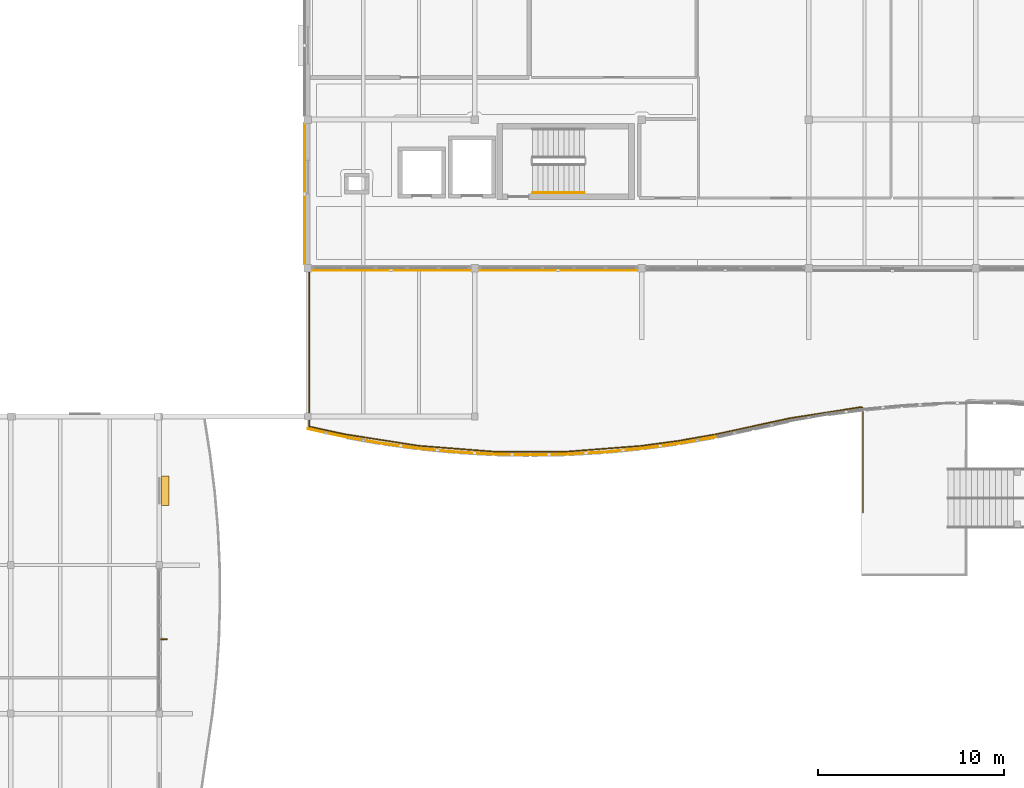
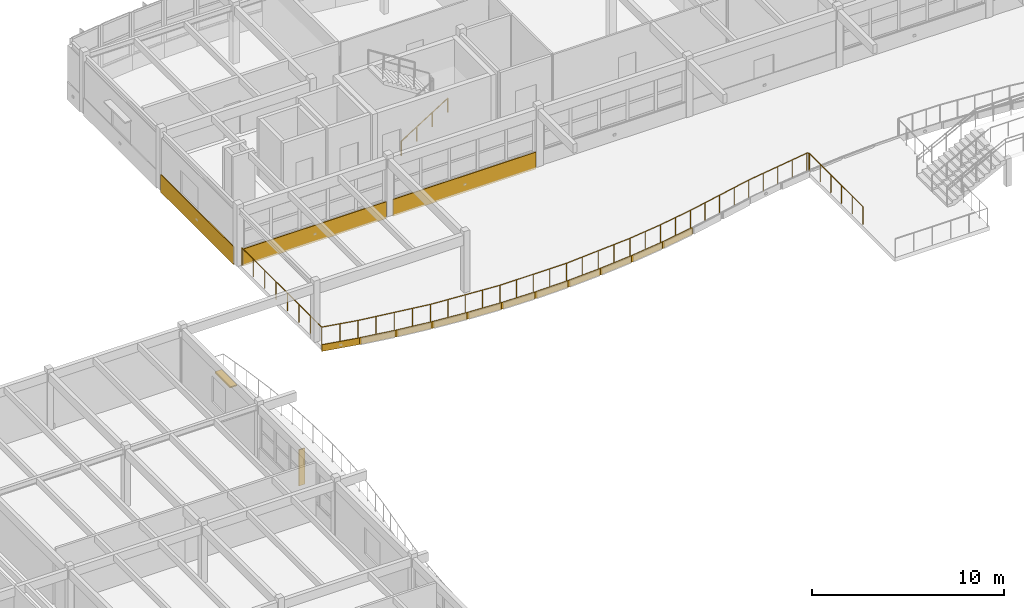
# One storey, part 57 of 63: 14 coverings, 2 railings, 2 shading devices.
"""IFC4 building model written with IfcOpenShell, lengths in metres."""

import ifcopenshell
import ifcopenshell.guid

model = None  # the IFC model being written
_history = None  # IfcOwnerHistory: only IFC2X3 demands one
_inside = {}  # id of a spatial element -> (the spatial element, [elements in it])
_under = {}  # id of a project, library or spatial element -> (it, [spatial elements below it])
_declared = {}  # id of a project -> (the project, [libraries it declares])
_typed = {}  # id of a type object -> (the type object, [elements of that type])
_made_of = {}  # id of a material, layer set ... -> (it, [elements and type objects made of it])


def new_model(schema):
    """Start an empty IFC model of exactly this schema.

    Asked for "IFC4X3", IfcOpenShell would pick the latest addendum, in which some entities
    have other attributes; the version numbers below select the first issue.
    IFC2X3 requires an IfcOwnerHistory on every rooted entity: one is made here for all.
    """
    global model, _history
    if schema == "IFC4X3":
        model = ifcopenshell.file(schema_version=(4, 3, 0, 0))
    else:
        model = ifcopenshell.file(schema=schema)
    _inside.clear()
    _under.clear()
    _declared.clear()
    _typed.clear()
    _made_of.clear()
    _history = None
    if model.schema == "IFC2X3":
        org = make("IfcOrganization", Name="unknown")
        user = make(
            "IfcPersonAndOrganization",
            ThePerson=make("IfcPerson", FamilyName="unknown"),
            TheOrganization=org,
        )
        app = make(
            "IfcApplication",
            ApplicationDeveloper=org,
            Version="unknown",
            ApplicationFullName="unknown",
            ApplicationIdentifier="unknown",
        )
        _history = make(
            "IfcOwnerHistory",
            OwningUser=user,
            OwningApplication=app,
            ChangeAction="ADDED",
            CreationDate=0,
        )
    return model


def make(cls, **values):
    """One entity of the class cls with the attributes given. An attribute that is None is left unset."""
    return model.create_entity(
        cls, **{name: value for name, value in values.items() if value is not None}
    )


def rooted(cls, **values):
    """An entity with a GlobalId (a new one), such as an element, a storey or a relation."""
    return make(cls, GlobalId=ifcopenshell.guid.new(), OwnerHistory=_history, **values)


def si_unit(unit_type, name, prefix=None):
    """IfcSIUnit, for example si_unit("LENGTHUNIT", "METRE", prefix="MILLI")."""
    return make("IfcSIUnit", UnitType=unit_type, Prefix=prefix, Name=name)


def assignment(units):
    """IfcUnitAssignment: the units of a project."""
    return None if units is None else make("IfcUnitAssignment", Units=units)


def point(xyz):
    """IfcCartesianPoint."""
    return None if xyz is None else make("IfcCartesianPoint", Coordinates=xyz)


def direction(xyz):
    """IfcDirection."""
    return None if xyz is None else make("IfcDirection", DirectionRatios=xyz)


def frame(location, z_axis=None, x_axis=None):
    """IfcAxis2Placement3D, a coordinate frame: its origin and axes. An axis left out is left unset."""
    return make(
        "IfcAxis2Placement3D",
        Location=point(location),
        Axis=direction(z_axis),
        RefDirection=direction(x_axis),
    )


def frame_2d(location, x_axis=None):
    """IfcAxis2Placement2D, a coordinate frame in the plane: its origin and x axis."""
    return make(
        "IfcAxis2Placement2D", Location=point(location), RefDirection=direction(x_axis)
    )


def origin():
    """The frame at (0, 0, 0) with its axes left unset."""
    return frame((0.0, 0.0, 0.0))


def origin_2d():
    """The frame at (0, 0) in the plane with its x axis left unset."""
    return frame_2d((0.0, 0.0))


def place(relative_to, where):
    """IfcLocalPlacement: puts the frame where relative to a parent placement (None: the world)."""
    return make(
        "IfcLocalPlacement", PlacementRelTo=relative_to, RelativePlacement=where
    )


def context(
    kind, dimensions, precision=None, world=None, true_north=None, identifier=None
):
    """IfcGeometricRepresentationContext, for example the 3D "Model" context."""
    return make(
        "IfcGeometricRepresentationContext",
        ContextIdentifier=identifier,
        ContextType=kind,
        CoordinateSpaceDimension=dimensions,
        Precision=precision,
        WorldCoordinateSystem=world,
        TrueNorth=true_north,
    )


def subcontext(parent, identifier, kind, view, scale=None):
    """IfcGeometricRepresentationSubContext, for example "Body" below "Model"."""
    return make(
        "IfcGeometricRepresentationSubContext",
        ContextIdentifier=identifier,
        ContextType=kind,
        ParentContext=parent,
        TargetScale=scale,
        TargetView=view,
    )


def project(units=None, contexts=None):
    """IfcProject with its units and contexts."""
    return rooted(
        "IfcProject",
        Name="project",
        RepresentationContexts=contexts,
        UnitsInContext=assignment(units),
    )


def spatial(cls, under=None, at=None, **own):
    """A site, building, storey or space (cls), placed at a placement, below another one or the project."""
    s = rooted(cls, ObjectPlacement=at, **own)
    if under is not None:
        _under.setdefault(under.id(), (under, []))[1].append(s)
    return s


def polyline(points):
    """IfcPolyline through the points."""
    return make("IfcPolyline", Points=[point(p) for p in points])


def profile(cls, at=None, kind="AREA", **sizes):
    """A parametric profile (cls). Its sizes go by their IFC names, for example OverallWidth=200.0."""
    return make(cls, ProfileType=kind, Position=at, **sizes)


def rectangle(**sizes):
    """IfcRectangleProfileDef."""
    return profile("IfcRectangleProfileDef", **sizes)


def circle(**sizes):
    """IfcCircleProfileDef."""
    return profile("IfcCircleProfileDef", **sizes)


def outline(outer, holes=None, kind="AREA"):
    """IfcArbitraryClosedProfileDef: a profile drawn as a closed curve; with holes, ...WithVoids."""
    if holes is None:
        return make("IfcArbitraryClosedProfileDef", ProfileType=kind, OuterCurve=outer)
    return make(
        "IfcArbitraryProfileDefWithVoids",
        ProfileType=kind,
        OuterCurve=outer,
        InnerCurves=holes,
    )


def extrude(swept, where, along, depth):
    """IfcExtrudedAreaSolid: the profile swept, set in the frame where, extruded along a direction by depth."""
    return make(
        "IfcExtrudedAreaSolid",
        SweptArea=swept,
        Position=where,
        ExtrudedDirection=direction(along),
        Depth=depth,
    )


def shape(context_of_items, identifier, shape_type, items):
    """IfcShapeRepresentation: the items that make up one representation, for example the "Body"."""
    return make(
        "IfcShapeRepresentation",
        ContextOfItems=context_of_items,
        RepresentationIdentifier=identifier,
        RepresentationType=shape_type,
        Items=items,
    )


def material(Name=None, Category=None):
    """IfcMaterial."""
    return make("IfcMaterial", Name=Name, Category=Category)


def layer(
    of_material, thickness, ventilated=None, Name=None, Category=None, Priority=None
):
    """IfcMaterialLayer: one layer of a wall or slab, of a material (None: an air gap)."""
    return make(
        "IfcMaterialLayer",
        Material=of_material,
        LayerThickness=thickness,
        IsVentilated=ventilated,
        Name=Name,
        Category=Category,
        Priority=Priority,
    )


def layer_set(layers, Name=None):
    """IfcMaterialLayerSet."""
    return make("IfcMaterialLayerSet", MaterialLayers=layers, LayerSetName=Name)


def made_of(thing, what):
    """Note that an element or type object is made of a material, layer set ...; save() writes the relation."""
    if what is not None:
        _made_of.setdefault(what.id(), (what, []))[1].append(thing)
    return thing


def type_object(cls, material=None, **own):
    """A type object (cls), such as IfcWallType, which elements share."""
    return made_of(rooted(cls, **own), material)


def element(
    cls,
    number,
    at=None,
    inside=None,
    cuts=None,
    type_object=None,
    material=None,
    context=None,
    identifier="Body",
    shape_type=None,
    held_by="IfcProductDefinitionShape",
    body=None,
    shapes=None,
    **own,
):
    """One element of the class cls, such as IfcWall. Its Tag is "e" and its number.

    at: its placement. inside: the storey or other place that contains it. cuts: it is an
    opening in that element (IfcRelVoidsElement). A single representation is given by context,
    identifier, shape_type and body (its items); several are given by shapes. held_by: the class
    of the entity that holds the representations. save() writes the other relations.
    """
    e = rooted(cls, Tag="e%d" % number, ObjectPlacement=at, **own)
    if body is not None:
        shapes = [shape(context, identifier, shape_type, body)]
    if shapes is not None:
        e.Representation = make(held_by, Representations=shapes)
    if inside is not None:
        _inside.setdefault(inside.id(), (inside, []))[1].append(e)
    if cuts is not None:
        rooted(
            "IfcRelVoidsElement", RelatingBuildingElement=cuts, RelatedOpeningElement=e
        )
    if type_object is not None:
        _typed.setdefault(type_object.id(), (type_object, []))[1].append(e)
    return made_of(e, material)


def aggregate(whole, parts):
    """IfcRelAggregates: a whole, such as a stair, and the parts it consists of."""
    return rooted("IfcRelAggregates", RelatingObject=whole, RelatedObjects=parts)


def save(model, path):
    """Write the relations noted so far, then the file.

    IfcRelAggregates (storeys below a building ...), IfcRelContainedInSpatialStructure (elements
    in a storey), IfcRelDefinesByType, IfcRelAssociatesMaterial and IfcRelDeclares: one each for
    every whole, place, type object, material and project.
    """
    for whole, parts in _under.values():
        aggregate(whole, parts)
    for where, things in _inside.values():
        rooted(
            "IfcRelContainedInSpatialStructure",
            RelatedElements=things,
            RelatingStructure=where,
        )
    for kind, things in _typed.values():
        rooted("IfcRelDefinesByType", RelatedObjects=things, RelatingType=kind)
    for what, things in _made_of.values():
        rooted("IfcRelAssociatesMaterial", RelatedObjects=things, RelatingMaterial=what)
    for by, libraries in _declared.values():
        rooted("IfcRelDeclares", RelatingContext=by, RelatedDefinitions=libraries)
    model.write(path)


model = new_model("IFC4")

# Units and contexts
model_context = context("Model", 3, precision=1e-05, world=origin(), true_north=direction((0.0, 1.0)))
body_context = subcontext(model_context, "Body", "Model", "MODEL_VIEW")
ifc_project = project(units=[si_unit("LENGTHUNIT", "METRE"), si_unit("AREAUNIT", "SQUARE_METRE"), si_unit("VOLUMEUNIT", "CUBIC_METRE"), si_unit("PLANEANGLEUNIT", "RADIAN"), si_unit("MASSUNIT", "GRAM", prefix="KILO")], contexts=[model_context])

# Site, building, storey
site_placement = place(None, origin())
site = spatial("IfcSite", under=ifc_project, at=site_placement, CompositionType="ELEMENT")
building_placement = place(site_placement, origin())
building = spatial("IfcBuilding", under=site, at=building_placement, Name="Tonlespit Floodbar School", CompositionType="ELEMENT")
storey_placement = place(building_placement, frame((0.0, 0.0, 8.39990234375)))
storey = spatial("IfcBuildingStorey", under=building, at=storey_placement, Name="L02", CompositionType="ELEMENT", Elevation=8.39990234375)

# Coverings
ifc_material_1 = material(Name="White Architectural Aluminium", Category="aluminium")
ifc_layer_1 = layer(ifc_material_1, 0.050048828125)
ifc_layer_set_1 = layer_set([ifc_layer_1], Name="White Architectural Aluminium")
covering_type = type_object("IfcCoveringType", Name="Cladding_WhiteBand_50", PredefinedType="CLADDING", material=ifc_layer_set_1)
covering_1_placement = place(storey_placement, frame((0.0, 0.0, -0.119873046875)))
element("IfcCovering", 1, at=covering_1_placement, inside=storey, type_object=covering_type, Name="L02 curved white spandrel cladding 0173", PredefinedType="CLADDING", context=body_context, shape_type="SweptSolid", body=[
    extrude(outline(polyline([(61.800048828125, 103.89990234375), (53.199951171875, 103.89990234375), (53.199951171875, 103.85009765625), (61.800048828125, 103.85009765625), (61.800048828125, 103.89990234375)])), origin(), (0.0, 0.0, 1.0), 1.070068359375),
])
covering_2_placement = place(storey_placement, frame((0.0, 0.0, -0.119873046875)))
element("IfcCovering", 2, at=covering_2_placement, inside=storey, type_object=covering_type, Name="L02 curved white spandrel cladding 0174", PredefinedType="CLADDING", context=body_context, shape_type="SweptSolid", body=[
    extrude(outline(polyline([(52.800048828125, 103.89990234375), (44.199951171875, 103.89990234375), (44.199951171875, 103.85009765625), (52.800048828125, 103.85009765625), (52.800048828125, 103.89990234375)])), origin(), (0.0, 0.0, 1.0), 1.070068359375),
])
covering_3_placement = place(storey_placement, frame((0.0, 0.0, -0.119873046875)))
element("IfcCovering", 3, at=covering_3_placement, inside=storey, type_object=covering_type, Name="L02 curved white spandrel cladding 0175", PredefinedType="CLADDING", context=body_context, shape_type="SweptSolid", body=[
    extrude(outline(polyline([(43.8798828125, 104.199951171875), (43.8798828125, 111.800048828125), (43.830078125, 111.800048828125), (43.830078125, 104.199951171875), (43.8798828125, 104.199951171875)])), origin(), (0.0, 0.0, 1.0), 1.119873046875),
])
covering_4_placement = place(storey_placement, frame((0.0, 0.0, -0.2998046875)))
element("IfcCovering", 4, at=covering_4_placement, inside=storey, type_object=covering_type, Name="L02 curved white spandrel cladding 0178", PredefinedType="CLADDING", context=body_context, shape_type="SweptSolid", body=[
    extrude(outline(polyline([(44.0, 95.360107421875), (46.0, 94.927001953125), (46.0, 94.876953125), (44.0, 95.31005859375), (44.0, 95.360107421875)])), origin(), (0.0, 0.0, 1.0), 0.419921875),
])
covering_5_placement = place(storey_placement, frame((0.0, 0.0, -0.2998046875)))
element("IfcCovering", 5, at=covering_5_placement, inside=storey, type_object=covering_type, Name="L02 curved white spandrel cladding 0179", PredefinedType="CLADDING", context=body_context, shape_type="SweptSolid", body=[
    extrude(outline(polyline([(46.0, 94.927001953125), (48.0, 94.575439453125), (48.0, 94.525390625), (46.0, 94.876953125), (46.0, 94.927001953125)])), origin(), (0.0, 0.0, 1.0), 0.419921875),
])
covering_6_placement = place(storey_placement, frame((0.0, 0.0, -0.2998046875)))
element("IfcCovering", 6, at=covering_6_placement, inside=storey, type_object=covering_type, Name="L02 curved white spandrel cladding 0180", PredefinedType="CLADDING", context=body_context, shape_type="SweptSolid", body=[
    extrude(outline(polyline([(48.0, 94.575439453125), (50.0, 94.3037109375), (50.0, 94.25390625), (48.0, 94.525390625), (48.0, 94.575439453125)])), origin(), (0.0, 0.0, 1.0), 0.419921875),
])
covering_7_placement = place(storey_placement, frame((0.0, 0.0, -0.2998046875)))
element("IfcCovering", 7, at=covering_7_placement, inside=storey, type_object=covering_type, Name="L02 curved white spandrel cladding 0181", PredefinedType="CLADDING", context=body_context, shape_type="SweptSolid", body=[
    extrude(outline(polyline([(50.0, 94.3037109375), (52.0, 94.110595703125), (52.0, 94.060546875), (50.0, 94.25390625), (50.0, 94.3037109375)])), origin(), (0.0, 0.0, 1.0), 0.419921875),
])
covering_8_placement = place(storey_placement, frame((0.0, 0.0, -0.2998046875)))
element("IfcCovering", 8, at=covering_8_placement, inside=storey, type_object=covering_type, Name="L02 curved white spandrel cladding 0182", PredefinedType="CLADDING", context=body_context, shape_type="SweptSolid", body=[
    extrude(outline(polyline([(52.0, 94.110595703125), (54.0, 93.994873046875), (54.0, 93.94482421875), (52.0, 94.060546875), (52.0, 94.110595703125)])), origin(), (0.0, 0.0, 1.0), 0.419921875),
])
covering_9_placement = place(storey_placement, frame((0.0, 0.0, -0.2998046875)))
element("IfcCovering", 9, at=covering_9_placement, inside=storey, type_object=covering_type, Name="L02 curved white spandrel cladding 0183", PredefinedType="CLADDING", context=body_context, shape_type="SweptSolid", body=[
    extrude(outline(polyline([(54.0, 93.994873046875), (56.0, 93.956298828125), (56.0, 93.906494140625), (54.0, 93.94482421875), (54.0, 93.994873046875)])), origin(), (0.0, 0.0, 1.0), 0.419921875),
])
covering_10_placement = place(storey_placement, frame((0.0, 0.0, -0.2998046875)))
element("IfcCovering", 10, at=covering_10_placement, inside=storey, type_object=covering_type, Name="L02 curved white spandrel cladding 0184", PredefinedType="CLADDING", context=body_context, shape_type="SweptSolid", body=[
    extrude(outline(polyline([(56.0, 93.956298828125), (58.0, 93.994873046875), (58.0, 93.94482421875), (56.0, 93.906494140625), (56.0, 93.956298828125)])), origin(), (0.0, 0.0, 1.0), 0.419921875),
])
covering_11_placement = place(storey_placement, frame((0.0, 0.0, -0.2998046875)))
element("IfcCovering", 11, at=covering_11_placement, inside=storey, type_object=covering_type, Name="L02 curved white spandrel cladding 0185", PredefinedType="CLADDING", context=body_context, shape_type="SweptSolid", body=[
    extrude(outline(polyline([(58.0, 93.994873046875), (60.0, 94.110595703125), (60.0, 94.060546875), (58.0, 93.94482421875), (58.0, 93.994873046875)])), origin(), (0.0, 0.0, 1.0), 0.419921875),
])
covering_12_placement = place(storey_placement, frame((0.0, 0.0, -0.2998046875)))
element("IfcCovering", 12, at=covering_12_placement, inside=storey, type_object=covering_type, Name="L02 curved white spandrel cladding 0186", PredefinedType="CLADDING", context=body_context, shape_type="SweptSolid", body=[
    extrude(outline(polyline([(60.0, 94.110595703125), (62.0, 94.3037109375), (62.0, 94.25390625), (60.0, 94.060546875), (60.0, 94.110595703125)])), origin(), (0.0, 0.0, 1.0), 0.419921875),
])
covering_13_placement = place(storey_placement, frame((0.0, 0.0, -0.2998046875)))
element("IfcCovering", 13, at=covering_13_placement, inside=storey, type_object=covering_type, Name="L02 curved white spandrel cladding 0187", PredefinedType="CLADDING", context=body_context, shape_type="SweptSolid", body=[
    extrude(outline(polyline([(62.0, 94.3037109375), (64.0, 94.575439453125), (64.0, 94.525390625), (62.0, 94.25390625), (62.0, 94.3037109375)])), origin(), (0.0, 0.0, 1.0), 0.419921875),
])
covering_14_placement = place(storey_placement, frame((0.0, 0.0, -0.2998046875)))
element("IfcCovering", 14, at=covering_14_placement, inside=storey, type_object=covering_type, Name="L02 curved white spandrel cladding 0188", PredefinedType="CLADDING", context=body_context, shape_type="SweptSolid", body=[
    extrude(outline(polyline([(64.0, 94.575439453125), (66.0, 94.927001953125), (66.0, 94.876953125), (64.0, 94.525390625), (64.0, 94.575439453125)])), origin(), (0.0, 0.0, 1.0), 0.419921875),
])

# Railings
ifc_material_2 = material(Name="Anodised Aluminium", Category="aluminium")
railing_type_1 = type_object("IfcRailingType", Name="Guardrail_Terrace_1150", PredefinedType="GUARDRAIL", material=ifc_material_2)
railing_1_placement = place(storey_placement, frame((73.92041015625, 90.840087890625, 0.0)))
element("IfcRailing", 15, at=railing_1_placement, inside=storey, type_object=railing_type_1, Name="L02 terrace balustrade 016", PredefinedType="GUARDRAIL", context=body_context, shape_type="SweptSolid", body=[
    extrude(circle(Radius=0.02392578125, at=origin_2d()), frame((0.0, 0.0, 1.1259765625), z_axis=(-8.7646259e-05, 0.999999996159, 0.0), x_axis=(-0.999999996159, -8.7646259e-05, 0.0)), (0.0, 0.0, 1.0), 5.571044921875),
    extrude(circle(Radius=0.02392578125, at=origin_2d()), frame((-0.00048828125, 5.571044921875, 1.1259765625), z_axis=(-0.399060253532, 0.916924704679, 0.0), x_axis=(-0.916924704679, -0.399060253532, 0.0)), (0.0, 0.0, 1.0), 0.080078125),
    extrude(circle(Radius=0.02392578125, at=origin_2d()), frame((-0.032470703125, 5.64453125, 1.1259765625), z_axis=(-0.948683298051, 0.316227766017, 0.0), x_axis=(-0.316227766017, -0.948683298051, 0.0)), (0.0, 0.0, 1.0), 0.081787109375),
    extrude(circle(Radius=0.02392578125, at=origin_2d()), frame((-0.110107421875, 5.67041015625, 1.1259765625), z_axis=(-0.987964761369, -0.154679120416, 0.0), x_axis=(0.154679120416, -0.987964761369, 0.0)), (0.0, 0.0, 1.0), 3.86865234375),
    extrude(circle(Radius=0.02392578125, at=origin_2d()), frame((-3.93212890625, 5.072021484375, 1.1259765625), z_axis=(-0.977371221082, -0.211531312576, 0.0), x_axis=(0.211531312576, -0.977371221082, 0.0)), (0.0, 0.0, 1.0), 4.09619140625),
    extrude(circle(Radius=0.02392578125, at=origin_2d()), frame((-7.935546875, 4.20556640625, 1.1259765625), z_axis=(-0.98489728566, -0.173139645083, 0.0), x_axis=(0.173139645083, -0.98489728566, 0.0)), (0.0, 0.0, 1.0), 2.027587890625),
    extrude(circle(Radius=0.02392578125, at=origin_2d()), frame((-9.9326171875, 3.8544921875, 1.1259765625), z_axis=(-0.990893483644, -0.134648074893, 0.0), x_axis=(0.134648074893, -0.990893483644, 0.0)), (0.0, 0.0, 1.0), 2.014404296875),
    extrude(circle(Radius=0.02392578125, at=origin_2d()), frame((-11.9287109375, 3.583251953125, 1.1259765625), z_axis=(-0.997033657691, -0.07696678135, 0.0), x_axis=(0.07696678135, -0.997033657691, 0.0)), (0.0, 0.0, 1.0), 4.00634765625),
    extrude(circle(Radius=0.02392578125, at=origin_2d()), frame((-15.923095703125, 3.27490234375, 1.1259765625), z_axis=(-1.0, 0.0, 0.0), x_axis=(0.0, -1.0, 0.0)), (0.0, 0.0, 1.0), 3.993896484375),
    extrude(circle(Radius=0.02392578125, at=origin_2d()), frame((-19.9169921875, 3.27490234375, 1.1259765625), z_axis=(-0.99703293556, 0.076976135315, 0.0), x_axis=(-0.076976135315, -0.99703293556, 0.0)), (0.0, 0.0, 1.0), 4.005859375),
    extrude(circle(Radius=0.02392578125, at=origin_2d()), frame((-23.910888671875, 3.583251953125, 1.1259765625), z_axis=(-0.98808159042, 0.153931058182, 0.0), x_axis=(-0.153931058182, -0.98808159042, 0.0)), (0.0, 0.0, 1.0), 4.042724609375),
    extrude(circle(Radius=0.02392578125, at=origin_2d()), frame((-27.905517578125, 4.20556640625, 1.1259765625), z_axis=(-0.977365243724, 0.211558928813, 0.0), x_axis=(-0.211558928813, -0.977365243724, 0.0)), (0.0, 0.0, 1.0), 1.97900390625),
    extrude(circle(Radius=0.02392578125, at=origin_2d()), frame((-29.83984375, 4.624267578125, 1.1259765625), z_axis=(-2.9397066e-05, 0.999999999568, 0.0), x_axis=(-0.999999999568, -2.9397066e-05, 0.0)), (0.0, 0.0, 1.0), 8.304931640625),
    extrude(circle(Radius=0.02099609375, at=origin_2d()), origin(), (0.0, 0.0, 1.0), 1.101806640625),
    extrude(circle(Radius=0.02099609375, at=origin_2d()), frame((0.0, 1.1142578125, 0.0)), (0.0, 0.0, 1.0), 1.101806640625),
    extrude(circle(Radius=0.02099609375, at=origin_2d()), frame((-0.000244140625, 2.228515625, 0.0)), (0.0, 0.0, 1.0), 1.101806640625),
    extrude(circle(Radius=0.02099609375, at=origin_2d()), frame((-0.000244140625, 3.342529296875, 0.0)), (0.0, 0.0, 1.0), 1.101806640625),
    extrude(circle(Radius=0.02099609375, at=origin_2d()), frame((-0.00048828125, 4.456787109375, 0.0)), (0.0, 0.0, 1.0), 1.101806640625),
    extrude(circle(Radius=0.02099609375, at=origin_2d()), frame((-0.00048828125, 5.571044921875, 0.0)), (0.0, 0.0, 1.0), 1.101806640625),
    extrude(circle(Radius=0.02099609375, at=origin_2d()), frame((-0.032470703125, 5.64453125, 0.0)), (0.0, 0.0, 1.0), 1.101806640625),
    extrude(circle(Radius=0.02099609375, at=origin_2d()), frame((-0.110107421875, 5.67041015625, 0.0)), (0.0, 0.0, 1.0), 1.101806640625),
    extrude(circle(Radius=0.02099609375, at=origin_2d()), frame((-1.065673828125, 5.520751953125, 0.0)), (0.0, 0.0, 1.0), 1.101806640625),
    extrude(circle(Radius=0.02099609375, at=origin_2d()), frame((-2.02099609375, 5.37109375, 0.0)), (0.0, 0.0, 1.0), 1.101806640625),
    extrude(circle(Radius=0.02099609375, at=origin_2d()), frame((-2.9765625, 5.2216796875, 0.0)), (0.0, 0.0, 1.0), 1.101806640625),
    extrude(circle(Radius=0.02099609375, at=origin_2d()), frame((-3.93212890625, 5.072021484375, 0.0)), (0.0, 0.0, 1.0), 1.101806640625),
    extrude(circle(Radius=0.02099609375, at=origin_2d()), frame((-4.93310546875, 4.85546875, 0.0)), (0.0, 0.0, 1.0), 1.101806640625),
    extrude(circle(Radius=0.02099609375, at=origin_2d()), frame((-5.933837890625, 4.638671875, 0.0)), (0.0, 0.0, 1.0), 1.101806640625),
    extrude(circle(Radius=0.02099609375, at=origin_2d()), frame((-6.9345703125, 4.422119140625, 0.0)), (0.0, 0.0, 1.0), 1.101806640625),
    extrude(circle(Radius=0.02099609375, at=origin_2d()), frame((-7.935546875, 4.20556640625, 0.0)), (0.0, 0.0, 1.0), 1.101806640625),
    extrude(circle(Radius=0.02099609375, at=origin_2d()), frame((-8.93408203125, 4.030029296875, 0.0)), (0.0, 0.0, 1.0), 1.101806640625),
    extrude(circle(Radius=0.02099609375, at=origin_2d()), frame((-9.9326171875, 3.8544921875, 0.0)), (0.0, 0.0, 1.0), 1.101806640625),
    extrude(circle(Radius=0.02099609375, at=origin_2d()), frame((-10.9306640625, 3.71875, 0.0)), (0.0, 0.0, 1.0), 1.101806640625),
    extrude(circle(Radius=0.02099609375, at=origin_2d()), frame((-11.9287109375, 3.583251953125, 0.0)), (0.0, 0.0, 1.0), 1.101806640625),
    extrude(circle(Radius=0.02099609375, at=origin_2d()), frame((-12.92724609375, 3.506103515625, 0.0)), (0.0, 0.0, 1.0), 1.101806640625),
    extrude(circle(Radius=0.02099609375, at=origin_2d()), frame((-13.92578125, 3.42919921875, 0.0)), (0.0, 0.0, 1.0), 1.101806640625),
    extrude(circle(Radius=0.02099609375, at=origin_2d()), frame((-14.924560546875, 3.35205078125, 0.0)), (0.0, 0.0, 1.0), 1.101806640625),
    extrude(circle(Radius=0.02099609375, at=origin_2d()), frame((-15.923095703125, 3.27490234375, 0.0)), (0.0, 0.0, 1.0), 1.101806640625),
    extrude(circle(Radius=0.02099609375, at=origin_2d()), frame((-16.921630859375, 3.27490234375, 0.0)), (0.0, 0.0, 1.0), 1.101806640625),
    extrude(circle(Radius=0.02099609375, at=origin_2d()), frame((-17.919921875, 3.27490234375, 0.0)), (0.0, 0.0, 1.0), 1.101806640625),
    extrude(circle(Radius=0.02099609375, at=origin_2d()), frame((-18.91845703125, 3.27490234375, 0.0)), (0.0, 0.0, 1.0), 1.101806640625),
    extrude(circle(Radius=0.02099609375, at=origin_2d()), frame((-19.9169921875, 3.27490234375, 0.0)), (0.0, 0.0, 1.0), 1.101806640625),
    extrude(circle(Radius=0.02099609375, at=origin_2d()), frame((-20.91552734375, 3.35205078125, 0.0)), (0.0, 0.0, 1.0), 1.101806640625),
    extrude(circle(Radius=0.02099609375, at=origin_2d()), frame((-21.9140625, 3.42919921875, 0.0)), (0.0, 0.0, 1.0), 1.101806640625),
    extrude(circle(Radius=0.02099609375, at=origin_2d()), frame((-22.912353515625, 3.506103515625, 0.0)), (0.0, 0.0, 1.0), 1.101806640625),
    extrude(circle(Radius=0.02099609375, at=origin_2d()), frame((-23.910888671875, 3.583251953125, 0.0)), (0.0, 0.0, 1.0), 1.101806640625),
    extrude(circle(Radius=0.02099609375, at=origin_2d()), frame((-24.90966796875, 3.73876953125, 0.0)), (0.0, 0.0, 1.0), 1.101806640625),
    extrude(circle(Radius=0.02099609375, at=origin_2d()), frame((-25.908203125, 3.89453125, 0.0)), (0.0, 0.0, 1.0), 1.101806640625),
    extrude(circle(Radius=0.02099609375, at=origin_2d()), frame((-26.90673828125, 4.050048828125, 0.0)), (0.0, 0.0, 1.0), 1.101806640625),
    extrude(circle(Radius=0.02099609375, at=origin_2d()), frame((-27.905517578125, 4.20556640625, 0.0)), (0.0, 0.0, 1.0), 1.101806640625),
    extrude(circle(Radius=0.02099609375, at=origin_2d()), frame((-28.87255859375, 4.4150390625, 0.0)), (0.0, 0.0, 1.0), 1.101806640625),
    extrude(circle(Radius=0.02099609375, at=origin_2d()), frame((-29.83984375, 4.624267578125, 0.0)), (0.0, 0.0, 1.0), 1.101806640625),
    extrude(circle(Radius=0.02099609375, at=origin_2d()), frame((-29.83984375, 5.810791015625, 0.0)), (0.0, 0.0, 1.0), 1.101806640625),
    extrude(circle(Radius=0.02099609375, at=origin_2d()), frame((-29.83984375, 6.9970703125, 0.0)), (0.0, 0.0, 1.0), 1.101806640625),
    extrude(circle(Radius=0.02099609375, at=origin_2d()), frame((-29.83984375, 8.18359375, 0.0)), (0.0, 0.0, 1.0), 1.101806640625),
    extrude(circle(Radius=0.02099609375, at=origin_2d()), frame((-29.840087890625, 9.369873046875, 0.0)), (0.0, 0.0, 1.0), 1.101806640625),
    extrude(circle(Radius=0.02099609375, at=origin_2d()), frame((-29.840087890625, 10.556396484375, 0.0)), (0.0, 0.0, 1.0), 1.101806640625),
    extrude(circle(Radius=0.02099609375, at=origin_2d()), frame((-29.840087890625, 11.74267578125, 0.0)), (0.0, 0.0, 1.0), 1.101806640625),
    extrude(circle(Radius=0.02099609375, at=origin_2d()), frame((-29.840087890625, 12.92919921875, 0.0)), (0.0, 0.0, 1.0), 1.101806640625),
])
ifc_material_3 = material(Name="Galvanised Steel", Category="steel")
railing_type_2 = type_object("IfcRailingType", Name="Handrail_Int_920", PredefinedType="HANDRAIL", material=ifc_material_3)
railing_2_placement = place(storey_placement, frame((56.1201171875, 108.050048828125, 0.177490234375)))
element("IfcRailing", 16, at=railing_2_placement, inside=storey, type_object=railing_type_2, Name="L02 ST-C1 stair handrail 1", PredefinedType="HANDRAIL", context=body_context, shape_type="SweptSolid", body=[
    extrude(circle(Radius=0.02392578125, at=origin_2d()), frame((0.0, 0.0, 0.89599609375), z_axis=(0.844887892834, 0.0, 0.53494340686), x_axis=(0.0, 1.0, 0.0)), (0.0, 0.0, 1.0), 3.313720703125),
    extrude(circle(Radius=0.02099609375, at=origin_2d()), origin(), (0.0, 0.0, 1.0), 0.871826171875),
    extrude(circle(Radius=0.02099609375, at=origin_2d()), frame((0.933349609375, 0.0, 0.5908203125)), (0.0, 0.0, 1.0), 0.871826171875),
    extrude(circle(Radius=0.02099609375, at=origin_2d()), frame((1.866455078125, 0.0, 1.181884765625)), (0.0, 0.0, 1.0), 0.871826171875),
    extrude(circle(Radius=0.02099609375, at=origin_2d()), frame((2.7998046875, 0.0, 1.772705078125)), (0.0, 0.0, 1.0), 0.871826171875),
])

# Shading devices
ifc_layer_2 = layer(ifc_material_2, 0.080078125)
ifc_layer_set_2 = layer_set([ifc_layer_2], Name="Anodised Aluminium")
shading_device_type_1 = type_object("IfcShadingDeviceType", Name="Shading_MonsoonJalousie_400", PredefinedType="JALOUSIE", material=ifc_layer_set_2)
shading_device_1_placement = place(storey_placement, frame((36.318115234375, 92.0, 2.6201171875), z_axis=(0.0, 0.0, 1.0), x_axis=(0.0, -1.0, 0.0)))
element("IfcShadingDevice", 17, at=shading_device_1_placement, inside=storey, type_object=shading_device_type_1, Name="L02 monsoon jalousie 166", PredefinedType="JALOUSIE", context=body_context, shape_type="SweptSolid", body=[
    extrude(rectangle(XDim=1.60009765625, YDim=0.39990234375, at=origin_2d()), origin(), (0.0, 0.0, 1.0), 0.080078125),
])
ifc_material_4 = material(Name="Terracotta Anodised Aluminium", Category="masonry")
ifc_layer_3 = layer(ifc_material_4, 0.06005859375)
ifc_layer_set_3 = layer_set([ifc_layer_3], Name="Terracotta Anodised Aluminium")
shading_device_type_2 = type_object("IfcShadingDeviceType", Name="Shading_SolarFin_350", PredefinedType="USERDEFINED", material=ifc_layer_set_3)
shading_device_2_placement = place(storey_placement, frame((36.25244140625, 84.0, 0.800048828125), z_axis=(0.0, 0.0, 1.0), x_axis=(0.0, -1.0, 0.0)))
element("IfcShadingDevice", 18, at=shading_device_2_placement, inside=storey, type_object=shading_device_type_2, Name="L02 vertical solar fin 167", ObjectType="SOLAR FIN", PredefinedType="USERDEFINED", context=body_context, shape_type="SweptSolid", body=[
    extrude(rectangle(XDim=0.06005859375, YDim=0.35009765625, at=origin_2d()), origin(), (0.0, 0.0, 1.0), 2.2900390625),
])

save(model, "model.ifc")
